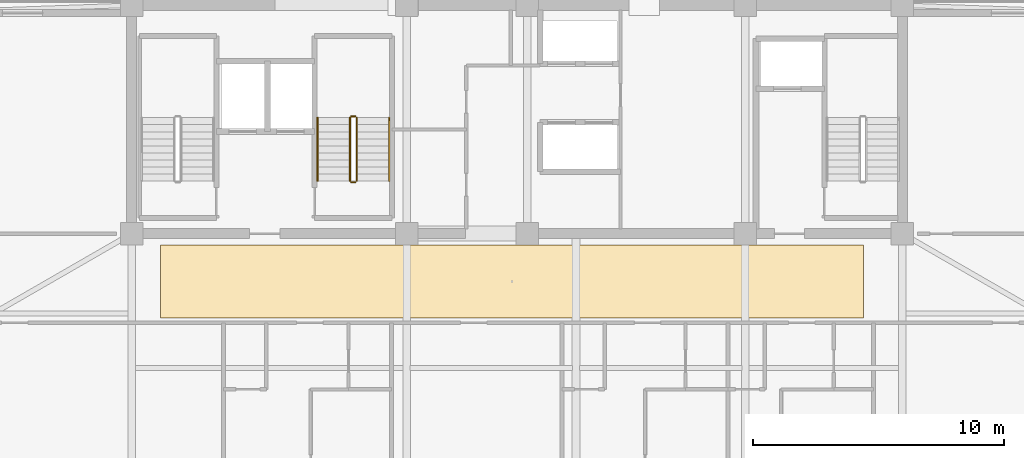
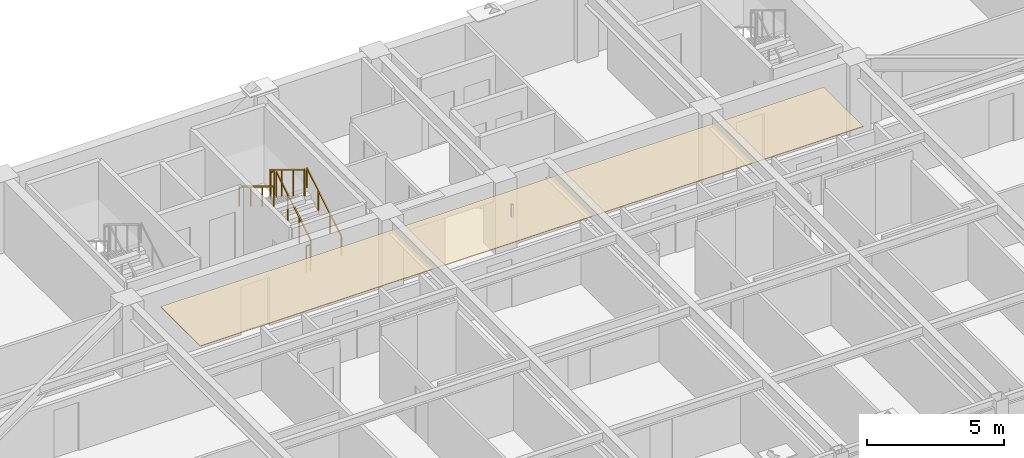
# One storey, part 15 of 18: 6 railings, 1 covering.
"""IFC4 building model written with IfcOpenShell, lengths in metres."""

from ifc_helpers import new_model, si_unit, direction, frame, origin, origin_2d, place, context, subcontext, project, spatial, polyline, rectangle, outline, extrude, material, layer, layer_set, type_object, element, save


model = new_model("IFC4")

# Units and contexts
model_context = context("Model", 3, precision=1e-05, world=origin(), true_north=direction((0.0, 1.0)))
body_context = subcontext(model_context, "Body", "Model", "MODEL_VIEW")
ifc_project = project(units=[si_unit("LENGTHUNIT", "METRE"), si_unit("AREAUNIT", "SQUARE_METRE"), si_unit("VOLUMEUNIT", "CUBIC_METRE"), si_unit("PLANEANGLEUNIT", "RADIAN"), si_unit("MASSUNIT", "GRAM", prefix="KILO")], contexts=[model_context])

# Site, building, storey
site_placement = place(None, origin())
site = spatial("IfcSite", under=ifc_project, at=site_placement, CompositionType="ELEMENT")
building_placement = place(site_placement, origin())
building = spatial("IfcBuilding", under=site, at=building_placement, Name="Giltprow Tower", CompositionType="ELEMENT")
storey_placement = place(building_placement, frame((0.0, 0.0, 262.10009765625)))
storey = spatial("IfcBuildingStorey", under=building, at=storey_placement, Name="L67", CompositionType="ELEMENT", Elevation=262.10009765625)

# Covering
ifc_material_1 = material(Name="Painted gypsum board", Category="gypsum")
ifc_layer = layer(ifc_material_1, 0.030029296875, Name="Painted gypsum board")
ifc_layer_set = layer_set([ifc_layer], Name="Painted gypsum board")
covering_type = type_object("IfcCoveringType", Name="COV-CLG-GYPSUM", PredefinedType="CEILING", material=ifc_layer_set)
covering_placement = place(storey_placement, frame((0.0, 0.0, 2.619873046875)))
element("IfcCovering", 1, at=covering_placement, inside=storey, type_object=covering_type, Name="L67 Residence Gallery Ceiling", PredefinedType="CEILING", context=body_context, shape_type="SweptSolid", body=[
    extrude(outline(polyline([(21.0, 34.10009765625), (49.0, 34.10009765625), (49.0, 37.0), (21.0, 37.0), (21.0, 34.10009765625)])), origin(), (0.0, 0.0, 1.0), 0.030029296875),
])

# Railings
ifc_material_2 = material(Name="Anodized bronze", Category="metal")
railing_type_1 = type_object("IfcRailingType", Name="RAIL-STAIR-GUARD-1200", PredefinedType="GUARDRAIL", material=ifc_material_2)
railing_1_placement = place(storey_placement, frame((28.81005859375, 39.550048828125, 0.169921875)))
element("IfcRailing", 2, at=railing_1_placement, inside=storey, type_object=railing_type_1, Name="L67 ST-2 stair guard 1", PredefinedType="GUARDRAIL", context=body_context, shape_type="SweptSolid", body=[
    extrude(rectangle(XDim=0.048095703125, YDim=0.048095703125, at=origin_2d()), frame((0.0, 0.0, 1.17578125), z_axis=(0.0, 0.85478489116, 0.518982456201), x_axis=(-1.0, 0.0, 0.0)), (0.0, 0.0, 1.0), 2.9482421875),
    extrude(rectangle(XDim=0.0419921875, YDim=0.0419921875, at=origin_2d()), origin(), (0.0, 0.0, 1.0), 1.15185546875),
    extrude(rectangle(XDim=0.0419921875, YDim=0.0419921875, at=origin_2d()), frame((0.0, 0.840087890625, 0.510009765625)), (0.0, 0.0, 1.0), 1.15185546875),
    extrude(rectangle(XDim=0.0419921875, YDim=0.0419921875, at=origin_2d()), frame((0.0, 1.679931640625, 1.02001953125)), (0.0, 0.0, 1.0), 1.15185546875),
    extrude(rectangle(XDim=0.0419921875, YDim=0.0419921875, at=origin_2d()), frame((0.0, 2.52001953125, 1.530029296875)), (0.0, 0.0, 1.0), 1.15185546875),
])
railing_2_placement = place(storey_placement, frame((28.760009765625, 42.1201171875, 1.699951171875)))
element("IfcRailing", 3, at=railing_2_placement, inside=storey, type_object=railing_type_1, Name="L67 ST-2 stair guard 2", PredefinedType="GUARDRAIL", context=body_context, shape_type="SweptSolid", body=[
    extrude(rectangle(XDim=0.048095703125, YDim=0.048095703125, at=origin_2d()), frame((0.0, 0.0, 1.17578125), z_axis=(-1.0, 0.0, 0.0), x_axis=(0.0, -1.0, 0.0)), (0.0, 0.0, 1.0), 0.159912109375),
    extrude(rectangle(XDim=0.0419921875, YDim=0.0419921875, at=origin_2d()), origin(), (0.0, 0.0, 1.0), 1.15185546875),
    extrude(rectangle(XDim=0.0419921875, YDim=0.0419921875, at=origin_2d()), frame((-0.159912109375, 0.0, 0.0)), (0.0, 0.0, 1.0), 1.15185546875),
])
railing_3_placement = place(storey_placement, frame((28.550048828125, 42.070068359375, 1.869873046875)))
element("IfcRailing", 4, at=railing_3_placement, inside=storey, type_object=railing_type_1, Name="L67 ST-2 stair guard 3", PredefinedType="GUARDRAIL", context=body_context, shape_type="SweptSolid", body=[
    extrude(rectangle(XDim=0.048095703125, YDim=0.048095703125, at=origin_2d()), frame((0.0, 0.0, 1.17578125), z_axis=(0.0, -0.85478489116, 0.518982456201), x_axis=(1.0, 0.0, 0.0)), (0.0, 0.0, 1.0), 2.9482421875),
    extrude(rectangle(XDim=0.0419921875, YDim=0.0419921875, at=origin_2d()), origin(), (0.0, 0.0, 1.0), 1.15185546875),
    extrude(rectangle(XDim=0.0419921875, YDim=0.0419921875, at=origin_2d()), frame((0.0, -0.840087890625, 0.510009765625)), (0.0, 0.0, 1.0), 1.15185546875),
    extrude(rectangle(XDim=0.0419921875, YDim=0.0419921875, at=origin_2d()), frame((0.0, -1.679931640625, 1.02001953125)), (0.0, 0.0, 1.0), 1.15185546875),
    extrude(rectangle(XDim=0.0419921875, YDim=0.0419921875, at=origin_2d()), frame((0.0, -2.52001953125, 1.530029296875)), (0.0, 0.0, 1.0), 1.15185546875),
])
railing_4_placement = place(storey_placement, frame((28.760009765625, 39.5, 0.0)))
element("IfcRailing", 5, at=railing_4_placement, inside=storey, type_object=railing_type_1, Name="L67 ST-2 stair guard 4", PredefinedType="GUARDRAIL", context=body_context, shape_type="SweptSolid", body=[
    extrude(rectangle(XDim=0.048095703125, YDim=0.048095703125, at=origin_2d()), frame((0.0, 0.0, 1.17578125), z_axis=(-1.0, 0.0, 0.0), x_axis=(0.0, -1.0, 0.0)), (0.0, 0.0, 1.0), 0.159912109375),
    extrude(rectangle(XDim=0.0419921875, YDim=0.0419921875, at=origin_2d()), origin(), (0.0, 0.0, 1.0), 1.15185546875),
    extrude(rectangle(XDim=0.0419921875, YDim=0.0419921875, at=origin_2d()), frame((-0.159912109375, 0.0, 0.0)), (0.0, 0.0, 1.0), 1.15185546875),
])
railing_type_2 = type_object("IfcRailingType", Name="RAIL-STAIR-HAND-900", PredefinedType="HANDRAIL", material=ifc_material_2)
railing_5_placement = place(storey_placement, frame((30.110107421875, 39.550048828125, 0.169921875)))
element("IfcRailing", 6, at=railing_5_placement, inside=storey, type_object=railing_type_2, Name="L67 ST-2 stair handrail 1", PredefinedType="HANDRAIL", context=body_context, shape_type="SweptSolid", body=[
    extrude(rectangle(XDim=0.048095703125, YDim=0.048095703125, at=origin_2d()), frame((0.0, 0.0, 0.8759765625), z_axis=(0.0, 0.85478489116, 0.518982456201), x_axis=(-1.0, 0.0, 0.0)), (0.0, 0.0, 1.0), 2.9482421875),
    extrude(rectangle(XDim=0.0419921875, YDim=0.0419921875, at=origin_2d()), origin(), (0.0, 0.0, 1.0), 0.851806640625),
    extrude(rectangle(XDim=0.0419921875, YDim=0.0419921875, at=origin_2d()), frame((0.0, 0.840087890625, 0.510009765625)), (0.0, 0.0, 1.0), 0.851806640625),
    extrude(rectangle(XDim=0.0419921875, YDim=0.0419921875, at=origin_2d()), frame((0.0, 1.679931640625, 1.02001953125)), (0.0, 0.0, 1.0), 0.851806640625),
    extrude(rectangle(XDim=0.0419921875, YDim=0.0419921875, at=origin_2d()), frame((0.0, 2.52001953125, 1.530029296875)), (0.0, 0.0, 1.0), 0.851806640625),
])
railing_6_placement = place(storey_placement, frame((27.25, 42.070068359375, 1.869873046875)))
element("IfcRailing", 7, at=railing_6_placement, inside=storey, type_object=railing_type_2, Name="L67 ST-2 stair handrail 2", PredefinedType="HANDRAIL", context=body_context, shape_type="SweptSolid", body=[
    extrude(rectangle(XDim=0.048095703125, YDim=0.048095703125, at=origin_2d()), frame((0.0, 0.0, 0.8759765625), z_axis=(0.0, -0.85478489116, 0.518982456201), x_axis=(1.0, 0.0, 0.0)), (0.0, 0.0, 1.0), 2.9482421875),
    extrude(rectangle(XDim=0.0419921875, YDim=0.0419921875, at=origin_2d()), origin(), (0.0, 0.0, 1.0), 0.851806640625),
    extrude(rectangle(XDim=0.0419921875, YDim=0.0419921875, at=origin_2d()), frame((0.0, -0.840087890625, 0.510009765625)), (0.0, 0.0, 1.0), 0.851806640625),
    extrude(rectangle(XDim=0.0419921875, YDim=0.0419921875, at=origin_2d()), frame((0.0, -1.679931640625, 1.02001953125)), (0.0, 0.0, 1.0), 0.851806640625),
    extrude(rectangle(XDim=0.0419921875, YDim=0.0419921875, at=origin_2d()), frame((0.0, -2.52001953125, 1.530029296875)), (0.0, 0.0, 1.0), 0.851806640625),
])

save(model, "model.ifc")
